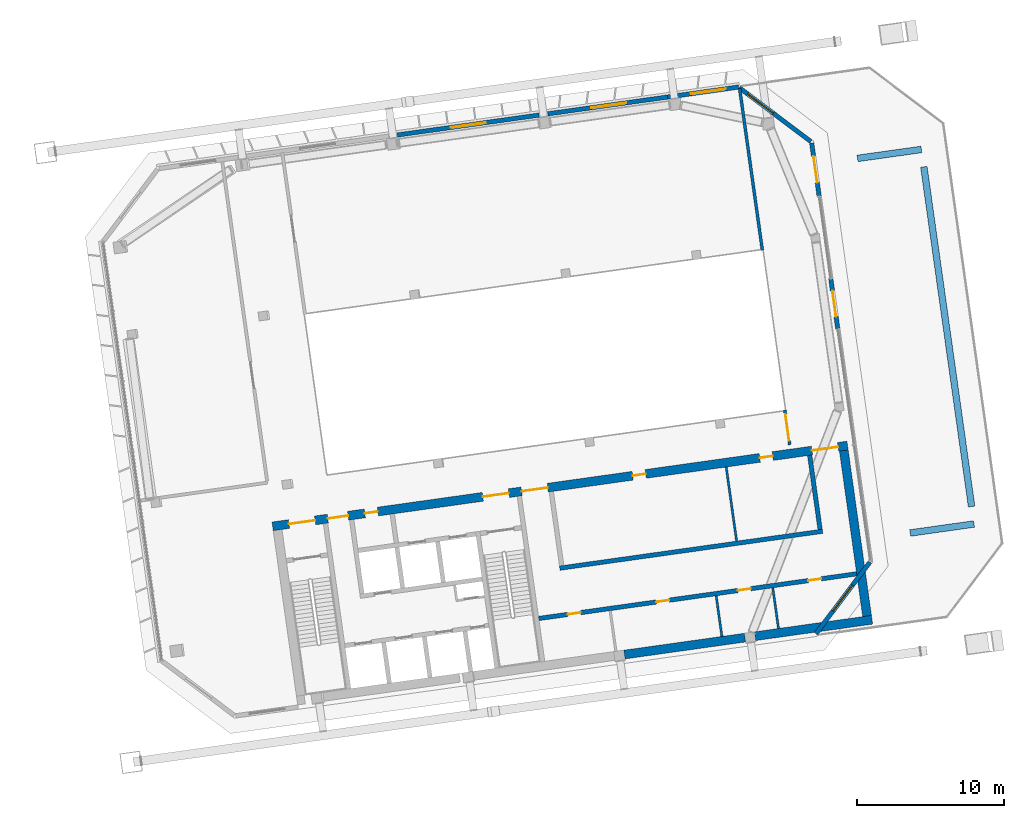
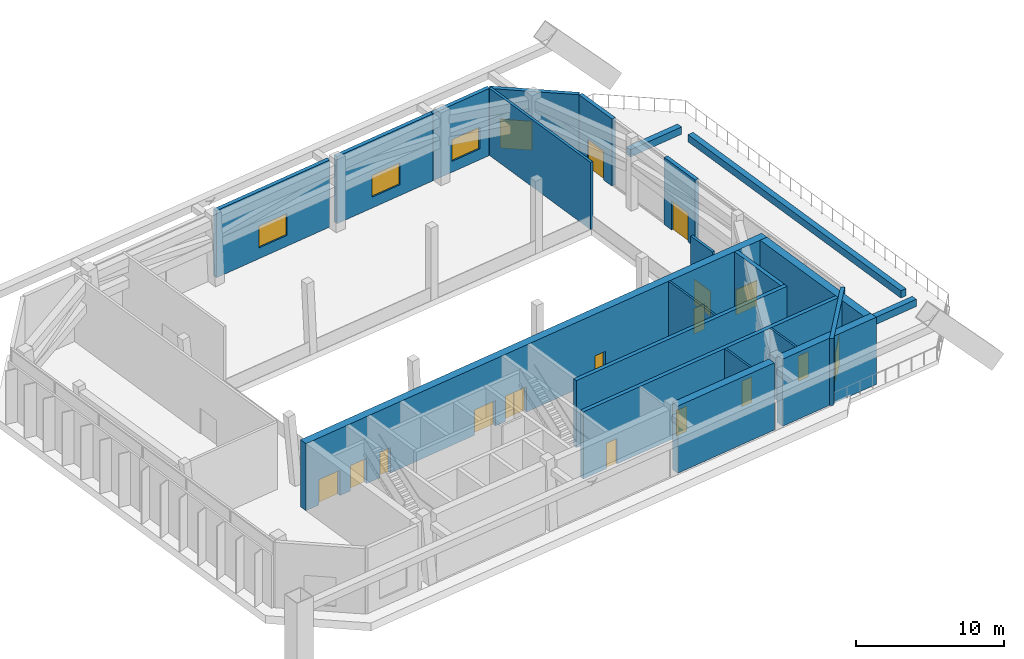
# One storey, part 18 of 29: 22 walls, 15 doors, 5 windows, 20 openings.
"""IFC4 building model written with IfcOpenShell, lengths in metres."""

from ifc_helpers import new_model, si_unit, direction, frame, frame_2d, origin, place, context, subcontext, project, spatial, rectangle, extrude, material, layer, layer_set, type_object, element, fill, save


model = new_model("IFC4")

# Units and contexts
model_context = context("Model", 3, precision=1e-05, world=origin(), true_north=direction((0.0, 1.0)))
body_context = subcontext(model_context, "Body", "Model", "MODEL_VIEW")
ifc_project = project(units=[si_unit("LENGTHUNIT", "METRE"), si_unit("AREAUNIT", "SQUARE_METRE"), si_unit("VOLUMEUNIT", "CUBIC_METRE"), si_unit("PLANEANGLEUNIT", "RADIAN"), si_unit("MASSUNIT", "GRAM", prefix="KILO")], contexts=[model_context])

# Site, building, storey
site_placement = place(None, origin())
site = spatial("IfcSite", under=ifc_project, at=site_placement, CompositionType="ELEMENT")
building_placement = place(site_placement, origin())
building = spatial("IfcBuilding", under=site, at=building_placement, Name="Mirante Cascada Hotel Towers", CompositionType="ELEMENT")
storey_placement = place(building_placement, frame((0.0, 0.0, 210.6)))
storey = spatial("IfcBuildingStorey", under=building, at=storey_placement, Name="L50", CompositionType="ELEMENT", Elevation=210.6)

# Walls
ifc_material_1 = material(Name="Masonry block", Category="masonry")
ifc_layer_1 = layer(ifc_material_1, 0.15)
ifc_layer_set_1 = layer_set([ifc_layer_1], Name="Core room partition 150 block EI 30")
wall_type_1 = type_object("IfcWallType", Name="Core room partition 150 block EI 30", PredefinedType="PARTITIONING", material=ifc_layer_set_1)
wall_1_placement = place(storey_placement, frame((66.2872, -15.178, 0.0), z_axis=(0.0, 0.0, 1.0), x_axis=(-0.139181, 0.990267, 0.0)))
element("IfcWall", 1, at=wall_1_placement, inside=storey, type_object=wall_type_1, Name="Core wall partition T2 L50 6", PredefinedType="PARTITIONING", context=body_context, shape_type="SweptSolid", body=[
    extrude(rectangle(XDim=2.8, YDim=0.15, at=frame_2d((1.4, 0.0))), origin(), (0.0, 0.0, 1.0), 5.55),
])
wall_2_placement = place(storey_placement, frame((70.1492, -14.6353, 0.0), z_axis=(0.0, 0.0, 1.0), x_axis=(-0.139176, 0.9902677, 0.0)))
element("IfcWall", 2, at=wall_2_placement, inside=storey, type_object=wall_type_1, Name="Core wall partition T2 L50 7", PredefinedType="PARTITIONING", context=body_context, shape_type="SweptSolid", body=[
    extrude(rectangle(XDim=2.8001, YDim=0.15, at=frame_2d((1.4, 0.0))), origin(), (0.0, 0.0, 1.0), 5.55),
])
wall_3_placement = place(storey_placement, frame((67.2919, -8.6749, 0.0), z_axis=(0.0, 0.0, 1.0), x_axis=(-0.1391782, 0.9902673, 0.0)))
element("IfcWall", 3, at=wall_3_placement, inside=storey, type_object=wall_type_1, Name="Core wall partition T2 L50 8", PredefinedType="PARTITIONING", context=body_context, shape_type="SweptSolid", body=[
    extrude(rectangle(XDim=5.0999, YDim=0.15, at=frame_2d((2.55, 0.0))), origin(), (0.0, 0.0, 1.0), 5.55),
])

# Wall, openings, doors
ifc_material_2 = material(Name="Masonry block", Category="masonry")
ifc_layer_2 = layer(ifc_material_2, 0.3)
ifc_layer_set_2 = layer_set([ifc_layer_2], Name="Core wall 300 block EI 120")
wall_type_2 = type_object("IfcWallType", Name="Core wall 300 block EI 120", PredefinedType="PARTITIONING", material=ifc_layer_set_2)
wall_4_placement = place(storey_placement, frame((53.7953, -13.9547, 0.0), z_axis=(0.0, 0.0, 1.0), x_axis=(0.990268, 0.1391733, 0.0)))
wall_4 = element("IfcWall", 4, at=wall_4_placement, inside=storey, type_object=wall_type_2, Name="Core wall partition T2 L50 4", PredefinedType="PARTITIONING", context=body_context, shape_type="SweptSolid", body=[
    extrude(rectangle(XDim=21.9, YDim=0.3, at=frame_2d((10.95, 0.0))), origin(), (0.0, 0.0, 1.0), 5.55),
])
opening_1_placement = place(wall_4_placement, frame((2.0, 0.0, 0.0)))
opening_1 = element("IfcOpeningElement", 5, at=opening_1_placement, cuts=wall_4, Name="Opening D2-50-C17", PredefinedType="OPENING", context=body_context, shape_type="SweptSolid", body=[
    extrude(rectangle(XDim=0.9, YDim=2.1, at=frame_2d((0.45, 1.05))), frame((0.0, 0.15, 0.0), z_axis=(0.0, -1.0, 0.0), x_axis=(1.0, 0.0, 0.0)), (0.0, 0.0, 1.0), 0.3),
])
opening_2_placement = place(wall_4_placement, frame((8.1, 0.0, 0.0)))
opening_2 = element("IfcOpeningElement", 6, at=opening_2_placement, cuts=wall_4, Name="Opening D2-50-C18", PredefinedType="OPENING", context=body_context, shape_type="SweptSolid", body=[
    extrude(rectangle(XDim=0.9, YDim=2.1, at=frame_2d((0.45, 1.05))), frame((0.0, 0.15, 0.0), z_axis=(0.0, -1.0, 0.0), x_axis=(1.0, 0.0, 0.0)), (0.0, 0.0, 1.0), 0.3),
])
opening_3_placement = place(wall_4_placement, frame((13.7, 0.0, 0.0)))
opening_3 = element("IfcOpeningElement", 7, at=opening_3_placement, cuts=wall_4, Name="Opening D2-50-C19", PredefinedType="OPENING", context=body_context, shape_type="SweptSolid", body=[
    extrude(rectangle(XDim=0.9, YDim=2.1, at=frame_2d((0.45, 1.05))), frame((0.0, 0.15, 0.0), z_axis=(0.0, -1.0, 0.0), x_axis=(1.0, 0.0, 0.0)), (0.0, 0.0, 1.0), 0.3),
])
opening_4_placement = place(wall_4_placement, frame((18.55, 0.0, 0.0)))
opening_4 = element("IfcOpeningElement", 8, at=opening_4_placement, cuts=wall_4, Name="Opening D2-50-C20", PredefinedType="OPENING", context=body_context, shape_type="SweptSolid", body=[
    extrude(rectangle(XDim=0.9, YDim=2.1, at=frame_2d((0.45, 1.05))), frame((0.0, 0.15, 0.0), z_axis=(0.0, -1.0, 0.0), x_axis=(1.0, 0.0, 0.0)), (0.0, 0.0, 1.0), 0.3),
])
ifc_material_3 = material(Name="Hollow metal fire door leaf")
door_type_1 = type_object("IfcDoorType", Name="Fire door 900x2100 FD60", OperationType="NOTDEFINED", PredefinedType="DOOR", material=ifc_material_3)
door_1_placement = place(opening_1_placement, frame((0.9, 0.0, 0.0), z_axis=(0.0, 0.0, 1.0), x_axis=(-1.0, 0.0, 0.0)))
door_1 = element("IfcDoor", 9, at=door_1_placement, inside=storey, type_object=door_type_1, Name="Room door T2 L50 17", OperationType="SINGLE_SWING_LEFT", OverallHeight=2.1, OverallWidth=0.9, PredefinedType="DOOR", context=body_context, shape_type="SweptSolid", body=[
    extrude(rectangle(XDim=0.9, YDim=2.1, at=frame_2d((0.45, 1.05))), frame((0.0, 0.025, 0.0), z_axis=(0.0, -1.0, 0.0), x_axis=(1.0, 0.0, 0.0)), (0.0, 0.0, 1.0), 0.05),
])
fill(opening_1, door_1)
door_2_placement = place(opening_2_placement, frame((0.9, 0.0, 0.0), z_axis=(0.0, 0.0, 1.0), x_axis=(-1.0, 0.0, 0.0)))
door_2 = element("IfcDoor", 10, at=door_2_placement, inside=storey, type_object=door_type_1, Name="Room door T2 L50 18", OperationType="SINGLE_SWING_LEFT", OverallHeight=2.1, OverallWidth=0.9, PredefinedType="DOOR", context=body_context, shape_type="SweptSolid", body=[
    extrude(rectangle(XDim=0.9, YDim=2.1, at=frame_2d((0.45, 1.05))), frame((0.0, 0.025, 0.0), z_axis=(0.0, -1.0, 0.0), x_axis=(1.0, 0.0, 0.0)), (0.0, 0.0, 1.0), 0.05),
])
fill(opening_2, door_2)
door_3_placement = place(opening_3_placement, frame((0.9, 0.0, 0.0), z_axis=(0.0, 0.0, 1.0), x_axis=(-1.0, 0.0, 0.0)))
door_3 = element("IfcDoor", 11, at=door_3_placement, inside=storey, type_object=door_type_1, Name="Room door T2 L50 19", OperationType="SINGLE_SWING_RIGHT", OverallHeight=2.1, OverallWidth=0.9, PredefinedType="DOOR", context=body_context, shape_type="SweptSolid", body=[
    extrude(rectangle(XDim=0.9, YDim=2.1, at=frame_2d((0.45, 1.05))), frame((0.0, 0.025, 0.0), z_axis=(0.0, -1.0, 0.0), x_axis=(1.0, 0.0, 0.0)), (0.0, 0.0, 1.0), 0.05),
])
fill(opening_3, door_3)
door_4_placement = place(opening_4_placement, frame((0.9, 0.0, 0.0), z_axis=(0.0, 0.0, 1.0), x_axis=(-1.0, 0.0, 0.0)))
door_4 = element("IfcDoor", 12, at=door_4_placement, inside=storey, type_object=door_type_1, Name="Room door T2 L50 20", OperationType="SINGLE_SWING_RIGHT", OverallHeight=2.1, OverallWidth=0.9, PredefinedType="DOOR", context=body_context, shape_type="SweptSolid", body=[
    extrude(rectangle(XDim=0.9, YDim=2.1, at=frame_2d((0.45, 1.05))), frame((0.0, 0.025, 0.0), z_axis=(0.0, -1.0, 0.0), x_axis=(1.0, 0.0, 0.0)), (0.0, 0.0, 1.0), 0.05),
])
fill(opening_4, door_4)

# Walls
ifc_material_4 = material(Name="Precast concrete C40/50", Category="concrete")
ifc_layer_3 = layer(ifc_material_4, 0.45)
ifc_layer_set_3 = layer_set([ifc_layer_3], Name="Planter wall 450 concrete C40/50")
wall_type_3 = type_object("IfcWallType", Name="Planter wall 450 concrete C40/50", PredefinedType="PARAPET", material=ifc_layer_set_3)
for number, where, z_axis, x_axis, name in (
    (13, (79.1301, -8.122, 0.0), (0.0, 0.0, 1.0), (0.990267, 0.139181, 0.0), "PLANTER T2 L50 bed 1"),
    (14, (75.5395, 17.4269, 0.0), (0.0, 0.0, 1.0), (0.990267, 0.139181, 0.0), "PLANTER T2 L50 bed 2"),
):
    element("IfcWall", number, at=place(storey_placement, frame(where, z_axis=z_axis, x_axis=x_axis)), inside=storey, type_object=wall_type_3, Name=name, PredefinedType="PARAPET", context=body_context, shape_type="SweptSolid", body=[
        extrude(rectangle(XDim=4.4, YDim=0.45, at=frame_2d((2.2, 0.0))), origin(), (0.0, 0.0, 1.0), 0.6),
    ])
wall_5_placement = place(storey_placement, frame((83.3203, -6.3213, 0.0), z_axis=(0.0, 0.0, 1.0), x_axis=(-0.1391708, 0.9902684, 0.0)))
element("IfcWall", 15, at=wall_5_placement, inside=storey, type_object=wall_type_3, Name="PLANTER T2 L50 bed 3", PredefinedType="PARAPET", context=body_context, shape_type="SweptSolid", body=[
    extrude(rectangle(XDim=23.4, YDim=0.45, at=frame_2d((11.7, 0.0))), origin(), (0.0, 0.0, 1.0), 0.6),
])

# Wall, opening, window
ifc_material_5 = material(Name="Precast concrete C40/50", Category="concrete")
ifc_layer_4 = layer(ifc_material_5, 0.3)
ifc_layer_set_4 = layer_set([ifc_layer_4], Name="Precast concrete C40/50 cladding wall 300")
wall_type_4 = type_object("IfcWallType", Name="Precast concrete C40/50 cladding wall 300", PredefinedType="STANDARD", material=ifc_layer_set_4)
wall_6_placement = place(storey_placement, frame((44.1438, 19.023, 0.0), z_axis=(0.0, 0.0, 1.0), x_axis=(0.9902672, 0.1391794, 0.0)))
wall_6 = element("IfcWall", 16, at=wall_6_placement, inside=storey, type_object=wall_type_4, Name="Cladding pier wall T2 L50 front 3", PredefinedType="STANDARD", context=body_context, shape_type="SweptSolid", body=[
    extrude(rectangle(XDim=9.768, YDim=0.3, at=frame_2d((4.884, 0.0))), origin(), (0.0, 0.0, 1.0), 5.55),
])
opening_5_placement = place(wall_6_placement, frame((3.684, 0.0, 0.9)))
opening_5 = element("IfcOpeningElement", 17, at=opening_5_placement, cuts=wall_6, Name="Opening W2-50-03", PredefinedType="OPENING", context=body_context, shape_type="SweptSolid", body=[
    extrude(rectangle(XDim=2.4, YDim=1.8, at=frame_2d((1.2, 0.9))), frame((0.0, 0.15, 0.0), z_axis=(0.0, -1.0, 0.0), x_axis=(1.0, 0.0, 0.0)), (0.0, 0.0, 1.0), 0.3),
])
ifc_material_6 = material(Name="Aluminium frame with clear double glazing", Category="aluminium")
window_type_1 = type_object("IfcWindowType", Name="Punched window 2400x1800", PartitioningType="DOUBLE_PANEL_VERTICAL", PredefinedType="WINDOW", material=ifc_material_6)
window_1_placement = place(opening_5_placement, origin())
window_1 = element("IfcWindow", 18, at=window_1_placement, inside=storey, type_object=window_type_1, Name="Window W2-50-03", OverallHeight=1.8, OverallWidth=2.4, PartitioningType="SINGLE_PANEL", PredefinedType="WINDOW", context=body_context, shape_type="SweptSolid", body=[
    extrude(rectangle(XDim=2.4, YDim=1.8, at=frame_2d((1.2, 0.9))), frame((0.0, 0.03, 0.0), z_axis=(0.0, -1.0, 0.0), x_axis=(1.0, 0.0, 0.0)), (0.0, 0.0, 1.0), 0.06),
])
fill(opening_5, window_1)

wall_7_placement = place(storey_placement, frame((54.4109, 20.466, 0.0), z_axis=(0.0, 0.0, 1.0), x_axis=(0.9902691, 0.1391657, 0.0)))
wall_7 = element("IfcWall", 19, at=wall_7_placement, inside=storey, type_object=wall_type_4, Name="Cladding pier wall T2 L50 front 4", PredefinedType="STANDARD", context=body_context, shape_type="SweptSolid", body=[
    extrude(rectangle(XDim=8.2499, YDim=0.3, at=frame_2d((4.125, 0.0))), origin(), (0.0, 0.0, 1.0), 5.55),
])
opening_6_placement = place(wall_7_placement, frame((3.0, 0.0, 0.9)))
opening_6 = element("IfcOpeningElement", 20, at=opening_6_placement, cuts=wall_7, Name="Opening W2-50-04", PredefinedType="OPENING", context=body_context, shape_type="SweptSolid", body=[
    extrude(rectangle(XDim=2.4, YDim=1.8, at=frame_2d((1.2, 0.9))), frame((0.0, 0.15, 0.0), z_axis=(0.0, -1.0, 0.0), x_axis=(1.0, 0.0, 0.0)), (0.0, 0.0, 1.0), 0.3),
])
window_2_placement = place(opening_6_placement, origin())
window_2 = element("IfcWindow", 21, at=window_2_placement, inside=storey, type_object=window_type_1, Name="Window W2-50-04", OverallHeight=1.8, OverallWidth=2.4, PartitioningType="SINGLE_PANEL", PredefinedType="WINDOW", context=body_context, shape_type="SweptSolid", body=[
    extrude(rectangle(XDim=2.4, YDim=1.8, at=frame_2d((1.2, 0.9))), frame((0.0, 0.03, 0.0), z_axis=(0.0, -1.0, 0.0), x_axis=(1.0, 0.0, 0.0)), (0.0, 0.0, 1.0), 0.06),
])
fill(opening_6, window_2)

wall_8_placement = place(storey_placement, frame((62.5805, 21.6141, 0.0), z_axis=(0.0, 0.0, 1.0), x_axis=(0.9902673, 0.1391783, 0.0)))
wall_8 = element("IfcWall", 22, at=wall_8_placement, inside=storey, type_object=wall_type_4, Name="Cladding pier wall T2 L50 front 5", PredefinedType="STANDARD", context=body_context, shape_type="SweptSolid", body=[
    extrude(rectangle(XDim=4.888, YDim=0.3, at=frame_2d((2.444, 0.0))), origin(), (0.0, 0.0, 1.0), 5.55),
])
opening_7_placement = place(wall_8_placement, frame((1.619, 0.0, 0.9)))
opening_7 = element("IfcOpeningElement", 23, at=opening_7_placement, cuts=wall_8, Name="Opening W2-50-05", PredefinedType="OPENING", context=body_context, shape_type="SweptSolid", body=[
    extrude(rectangle(XDim=2.4, YDim=1.8, at=frame_2d((1.2, 0.9))), frame((0.0, 0.15, 0.0), z_axis=(0.0, -1.0, 0.0), x_axis=(1.0, 0.0, 0.0)), (0.0, 0.0, 1.0), 0.3),
])
window_3_placement = place(opening_7_placement, origin())
window_3 = element("IfcWindow", 24, at=window_3_placement, inside=storey, type_object=window_type_1, Name="Window W2-50-05", OverallHeight=1.8, OverallWidth=2.4, PartitioningType="SINGLE_PANEL", PredefinedType="WINDOW", context=body_context, shape_type="SweptSolid", body=[
    extrude(rectangle(XDim=2.4, YDim=1.8, at=frame_2d((1.2, 0.9))), frame((0.0, 0.03, 0.0), z_axis=(0.0, -1.0, 0.0), x_axis=(1.0, 0.0, 0.0)), (0.0, 0.0, 1.0), 0.06),
])
fill(opening_7, window_3)

wall_9_placement = place(storey_placement, frame((72.7051, -14.9892, 0.0), z_axis=(0.0, 0.0, 1.0), x_axis=(0.6018141, 0.7986362, 0.0)))
wall_9 = element("IfcWall", 25, at=wall_9_placement, inside=storey, type_object=wall_type_4, Name="Corner cladding wall T2 L50 rear outer", PredefinedType="STANDARD", context=body_context, shape_type="SweptSolid", body=[
    extrude(rectangle(XDim=6.1157, YDim=0.3, at=frame_2d((3.0578, 0.0))), origin(), (0.0, 0.0, 1.0), 5.55),
])
opening_8_placement = place(wall_9_placement, frame((1.9427, 0.0, 0.6)))
opening_8 = element("IfcOpeningElement", 26, at=opening_8_placement, cuts=wall_9, Name="Opening W2-50-07", PredefinedType="OPENING", context=body_context, shape_type="SweptSolid", body=[
    extrude(rectangle(XDim=2.2, YDim=2.4, at=frame_2d((1.1, 1.2))), frame((0.0, 0.15, 0.0), z_axis=(0.0, -1.0, 0.0), x_axis=(1.0, 0.0, 0.0)), (0.0, 0.0, 1.0), 0.3),
])
ifc_material_7 = material(Name="Aluminium frame with clear double glazing", Category="aluminium")
window_type_2 = type_object("IfcWindowType", Name="Corner suite window 2200x2400", PartitioningType="DOUBLE_PANEL_VERTICAL", PredefinedType="WINDOW", material=ifc_material_7)
window_4_placement = place(opening_8_placement, origin())
window_4 = element("IfcWindow", 27, at=window_4_placement, inside=storey, type_object=window_type_2, Name="Window W2-50-07", OverallHeight=2.4, OverallWidth=2.2, PartitioningType="SINGLE_PANEL", PredefinedType="WINDOW", context=body_context, shape_type="SweptSolid", body=[
    extrude(rectangle(XDim=2.2, YDim=2.4, at=frame_2d((1.1, 1.2))), frame((0.0, 0.03, 0.0), z_axis=(0.0, -1.0, 0.0), x_axis=(1.0, 0.0, 0.0)), (0.0, 0.0, 1.0), 0.06),
])
fill(opening_8, window_4)

wall_10_placement = place(storey_placement, frame((72.3546, 18.5766, 0.0), z_axis=(0.0, 0.0, 1.0), x_axis=(-0.7986362, 0.6018141, 0.0)))
wall_10 = element("IfcWall", 28, at=wall_10_placement, inside=storey, type_object=wall_type_4, Name="Corner cladding wall T2 L50 outer front", PredefinedType="STANDARD", context=body_context, shape_type="SweptSolid", body=[
    extrude(rectangle(XDim=6.1157, YDim=0.3, at=frame_2d((3.0578, 0.0))), origin(), (0.0, 0.0, 1.0), 5.55),
])
opening_9_placement = place(wall_10_placement, frame((3.1983, 0.0, 0.6)))
opening_9 = element("IfcOpeningElement", 29, at=opening_9_placement, cuts=wall_10, Name="Opening W2-50-08", PredefinedType="OPENING", context=body_context, shape_type="SweptSolid", body=[
    extrude(rectangle(XDim=2.2, YDim=2.4, at=frame_2d((1.1, 1.2))), frame((0.0, 0.15, 0.0), z_axis=(0.0, -1.0, 0.0), x_axis=(1.0, 0.0, 0.0)), (0.0, 0.0, 1.0), 0.3),
])
window_5_placement = place(opening_9_placement, origin())
window_5 = element("IfcWindow", 30, at=window_5_placement, inside=storey, type_object=window_type_2, Name="Window W2-50-08", OverallHeight=2.4, OverallWidth=2.2, PartitioningType="SINGLE_PANEL", PredefinedType="WINDOW", context=body_context, shape_type="SweptSolid", body=[
    extrude(rectangle(XDim=2.2, YDim=2.4, at=frame_2d((1.1, 1.2))), frame((0.0, 0.03, 0.0), z_axis=(0.0, -1.0, 0.0), x_axis=(1.0, 0.0, 0.0)), (0.0, 0.0, 1.0), 0.06),
])
fill(opening_9, window_5)

# Wall, opening, door
ifc_material_8 = material(Name="Precast concrete C40/50", Category="concrete")
ifc_layer_5 = layer(ifc_material_8, 0.3)
ifc_layer_set_5 = layer_set([ifc_layer_5], Name="Precast concrete C40/50 terrace wall 300")
wall_type_5 = type_object("IfcWallType", Name="Precast concrete C40/50 terrace wall 300", PredefinedType="STANDARD", material=ifc_layer_set_5)
wall_11_placement = place(storey_placement, frame((74.1908, 5.8263, 0.0), z_axis=(0.0, 0.0, 1.0), x_axis=(-0.139144, 0.9902722, 0.0)))
wall_11 = element("IfcWall", 31, at=wall_11_placement, inside=storey, type_object=wall_type_5, Name="Lounge door pier wall T2 L50 2", PredefinedType="STANDARD", context=body_context, shape_type="SweptSolid", body=[
    extrude(rectangle(XDim=3.4001, YDim=0.3, at=frame_2d((1.7, 0.0))), origin(), (0.0, 0.0, 1.0), 5.55),
])
opening_10_placement = place(wall_11_placement, frame((0.8, 0.0, 0.0)))
opening_10 = element("IfcOpeningElement", 32, at=opening_10_placement, cuts=wall_11, Name="Opening D2-50-91", PredefinedType="OPENING", context=body_context, shape_type="SweptSolid", body=[
    extrude(rectangle(XDim=1.8, YDim=2.4, at=frame_2d((0.9, 1.2))), frame((0.0, 0.15, 0.0), z_axis=(0.0, -1.0, 0.0), x_axis=(1.0, 0.0, 0.0)), (0.0, 0.0, 1.0), 0.3),
])
ifc_material_9 = material(Name="Aluminium frame with clear laminated glazing", Category="aluminium")
door_type_2 = type_object("IfcDoorType", Name="Terrace double door 1800x2400", OperationType="DOUBLE_DOOR_SINGLE_SWING", PredefinedType="DOOR", material=ifc_material_9)
door_5_placement = place(opening_10_placement, origin())
door_5 = element("IfcDoor", 33, at=door_5_placement, inside=storey, type_object=door_type_2, Name="Terrace door D2-50-91", OperationType="DOUBLE_DOOR_SINGLE_SWING", OverallHeight=2.4, OverallWidth=1.8, PredefinedType="DOOR", context=body_context, shape_type="SweptSolid", body=[
    extrude(rectangle(XDim=0.895, YDim=2.4, at=frame_2d((0.4475, 1.2))), frame((0.0, 0.025, 0.0), z_axis=(0.0, -1.0, 0.0), x_axis=(1.0, 0.0, 0.0)), (0.0, 0.0, 1.0), 0.05),
    extrude(rectangle(XDim=0.895, YDim=2.4, at=frame_2d((1.3525, 1.2))), frame((0.0, 0.025, 0.0), z_axis=(0.0, -1.0, 0.0), x_axis=(1.0, 0.0, 0.0)), (0.0, 0.0, 1.0), 0.05),
])
fill(opening_10, door_5)

wall_12_placement = place(storey_placement, frame((72.9191, 14.8753, 0.0), z_axis=(0.0, 0.0, 1.0), x_axis=(-0.1391698, 0.9902685, 0.0)))
wall_12 = element("IfcWall", 34, at=wall_12_placement, inside=storey, type_object=wall_type_5, Name="Lounge door pier wall T2 L50 4", PredefinedType="STANDARD", context=body_context, shape_type="SweptSolid", body=[
    extrude(rectangle(XDim=3.638, YDim=0.3, at=frame_2d((1.819, 0.0))), origin(), (0.0, 0.0, 1.0), 5.55),
])
opening_11_placement = place(wall_12_placement, frame((0.919, 0.0, 0.0)))
opening_11 = element("IfcOpeningElement", 35, at=opening_11_placement, cuts=wall_12, Name="Opening D2-50-92", PredefinedType="OPENING", context=body_context, shape_type="SweptSolid", body=[
    extrude(rectangle(XDim=1.8, YDim=2.4, at=frame_2d((0.9, 1.2))), frame((0.0, 0.15, 0.0), z_axis=(0.0, -1.0, 0.0), x_axis=(1.0, 0.0, 0.0)), (0.0, 0.0, 1.0), 0.3),
])
door_6_placement = place(opening_11_placement, origin())
door_6 = element("IfcDoor", 36, at=door_6_placement, inside=storey, type_object=door_type_2, Name="Terrace door D2-50-92", OperationType="DOUBLE_DOOR_SINGLE_SWING", OverallHeight=2.4, OverallWidth=1.8, PredefinedType="DOOR", context=body_context, shape_type="SweptSolid", body=[
    extrude(rectangle(XDim=0.895, YDim=2.4, at=frame_2d((0.4475, 1.2))), frame((0.0, 0.025, 0.0), z_axis=(0.0, -1.0, 0.0), x_axis=(1.0, 0.0, 0.0)), (0.0, 0.0, 1.0), 0.05),
    extrude(rectangle(XDim=0.895, YDim=2.4, at=frame_2d((1.3525, 1.2))), frame((0.0, 0.025, 0.0), z_axis=(0.0, -1.0, 0.0), x_axis=(1.0, 0.0, 0.0)), (0.0, 0.0, 1.0), 0.05),
])
fill(opening_11, door_6)

# Walls
ifc_material_10 = material(Name="Concrete C50/60", Category="concrete")
ifc_layer_6 = layer(ifc_material_10, 0.3)
ifc_layer_set_6 = layer_set([ifc_layer_6], Name="RC core wall 300 C50/60")
wall_type_6 = type_object("IfcWallType", Name="RC core wall 300 C50/60", PredefinedType="SHEAR", material=ifc_layer_set_6)
wall_13_placement = place(storey_placement, frame((55.2315, -10.5214, 0.0), z_axis=(0.0, 0.0, 1.0), x_axis=(0.9902684, 0.1391709, 0.0)))
element("IfcWall", 37, at=wall_13_placement, inside=storey, type_object=wall_type_6, Name="Core wall T2:L50:26", PredefinedType="SHEAR", context=body_context, shape_type="SweptSolid", body=[
    extrude(rectangle(XDim=18.1, YDim=0.3, at=frame_2d((9.05, 0.0))), origin(), (0.0, 0.0, 1.0), 5.55),
])
wall_14_placement = place(storey_placement, frame((72.9859, -7.8747, 0.0), z_axis=(0.0, 0.0, 1.0), x_axis=(-0.1391563, 0.9902704, 0.0)))
element("IfcWall", 38, at=wall_14_placement, inside=storey, type_object=wall_type_6, Name="Core wall T2:L50:28", PredefinedType="SHEAR", context=body_context, shape_type="SweptSolid", body=[
    extrude(rectangle(XDim=5.1, YDim=0.3, at=frame_2d((2.55, 0.0))), origin(), (0.0, 0.0, 1.0), 5.55),
])
ifc_material_11 = material(Name="Concrete C50/60", Category="concrete")
ifc_layer_7 = layer(ifc_material_11, 0.6)
ifc_layer_set_7 = layer_set([ifc_layer_7], Name="RC core wall 600 C50/60")
wall_type_7 = type_object("IfcWallType", Name="RC core wall 600 C50/60", PredefinedType="SHEAR", material=ifc_layer_set_7)
wall_15_placement = place(storey_placement, frame((59.6446, -16.4145, 0.0), z_axis=(0.0, 0.0, 1.0), x_axis=(0.9902686, 0.1391692, 0.0)))
element("IfcWall", 39, at=wall_15_placement, inside=storey, type_object=wall_type_7, Name="Core wall T2:L50:1.4", PredefinedType="SHEAR", context=body_context, shape_type="SweptSolid", body=[
    extrude(rectangle(XDim=8.3, YDim=0.6, at=frame_2d((4.15, 0.0))), origin(), (0.0, 0.0, 1.0), 5.55),
])
wall_16_placement = place(storey_placement, frame((68.557, -15.162, 0.0), z_axis=(0.0, 0.0, 1.0), x_axis=(0.9902672, 0.1391793, 0.0)))
element("IfcWall", 40, at=wall_16_placement, inside=storey, type_object=wall_type_7, Name="Core wall T2:L50:1.5", PredefinedType="SHEAR", context=body_context, shape_type="SweptSolid", body=[
    extrude(rectangle(XDim=8.05, YDim=0.6, at=frame_2d((4.025, 0.0))), origin(), (0.0, 0.0, 1.0), 5.55),
])

# Wall, openings, doors
wall_17_placement = place(storey_placement, frame((35.644, -7.6697, 0.0), z_axis=(0.0, 0.0, 1.0), x_axis=(0.9902679, 0.1391743, 0.0)))
wall_17 = element("IfcWall", 41, at=wall_17_placement, inside=storey, type_object=wall_type_7, Name="Core wall T2:L50:2", PredefinedType="SHEAR", context=body_context, shape_type="SweptSolid", body=[
    extrude(rectangle(XDim=39.6, YDim=0.6, at=frame_2d((19.8, 0.0))), origin(), (0.0, 0.0, 1.0), 5.55),
])
opening_12_placement = place(wall_17_placement, frame((1.125, 0.0, 0.0)))
opening_12 = element("IfcOpeningElement", 42, at=opening_12_placement, cuts=wall_17, Name="Opening D2-50-C08", PredefinedType="OPENING", context=body_context, shape_type="SweptSolid", body=[
    extrude(rectangle(XDim=1.8, YDim=2.1, at=frame_2d((0.9, 1.05))), frame((0.0, 0.3, 0.0), z_axis=(0.0, -1.0, 0.0), x_axis=(1.0, 0.0, 0.0)), (0.0, 0.0, 1.0), 0.6),
])
opening_13_placement = place(wall_17_placement, frame((14.475, 0.0, 0.0)))
opening_13 = element("IfcOpeningElement", 43, at=opening_13_placement, cuts=wall_17, Name="Opening D2-50-C10", PredefinedType="OPENING", context=body_context, shape_type="SweptSolid", body=[
    extrude(rectangle(XDim=1.8, YDim=2.1, at=frame_2d((0.9, 1.05))), frame((0.0, 0.3, 0.0), z_axis=(0.0, -1.0, 0.0), x_axis=(1.0, 0.0, 0.0)), (0.0, 0.0, 1.0), 0.6),
])
opening_14_placement = place(wall_17_placement, frame((3.8, 0.0, 0.0)))
opening_14 = element("IfcOpeningElement", 44, at=opening_14_placement, cuts=wall_17, Name="Opening D2-50-C11", PredefinedType="OPENING", context=body_context, shape_type="SweptSolid", body=[
    extrude(rectangle(XDim=1.4, YDim=2.1, at=frame_2d((0.7, 1.05))), frame((0.0, 0.3, 0.0), z_axis=(0.0, -1.0, 0.0), x_axis=(1.0, 0.0, 0.0)), (0.0, 0.0, 1.0), 0.6),
])
opening_15_placement = place(wall_17_placement, frame((17.15, 0.0, 0.0)))
opening_15 = element("IfcOpeningElement", 45, at=opening_15_placement, cuts=wall_17, Name="Opening D2-50-C12", PredefinedType="OPENING", context=body_context, shape_type="SweptSolid", body=[
    extrude(rectangle(XDim=1.8, YDim=2.1, at=frame_2d((0.9, 1.05))), frame((0.0, 0.3, 0.0), z_axis=(0.0, -1.0, 0.0), x_axis=(1.0, 0.0, 0.0)), (0.0, 0.0, 1.0), 0.6),
])
opening_16_placement = place(wall_17_placement, frame((37.15, 0.0, 0.0)))
opening_16 = element("IfcOpeningElement", 46, at=opening_16_placement, cuts=wall_17, Name="Opening D2-50-C13", PredefinedType="OPENING", context=body_context, shape_type="SweptSolid", body=[
    extrude(rectangle(XDim=1.8, YDim=2.1, at=frame_2d((0.9, 1.05))), frame((0.0, 0.3, 0.0), z_axis=(0.0, -1.0, 0.0), x_axis=(1.0, 0.0, 0.0)), (0.0, 0.0, 1.0), 0.6),
])
opening_17_placement = place(wall_17_placement, frame((6.35, 0.0, 0.0)))
opening_17 = element("IfcOpeningElement", 47, at=opening_17_placement, cuts=wall_17, Name="Opening D2-50-C16", PredefinedType="OPENING", context=body_context, shape_type="SweptSolid", body=[
    extrude(rectangle(XDim=0.9, YDim=2.1, at=frame_2d((0.45, 1.05))), frame((0.0, 0.3, 0.0), z_axis=(0.0, -1.0, 0.0), x_axis=(1.0, 0.0, 0.0)), (0.0, 0.0, 1.0), 0.6),
])
opening_18_placement = place(wall_17_placement, frame((24.8, 0.0, 0.0)))
opening_18 = element("IfcOpeningElement", 48, at=opening_18_placement, cuts=wall_17, Name="Opening D2-50-C21", PredefinedType="OPENING", context=body_context, shape_type="SweptSolid", body=[
    extrude(rectangle(XDim=0.9, YDim=2.1, at=frame_2d((0.45, 1.05))), frame((0.0, 0.3, 0.0), z_axis=(0.0, -1.0, 0.0), x_axis=(1.0, 0.0, 0.0)), (0.0, 0.0, 1.0), 0.6),
])
opening_19_placement = place(wall_17_placement, frame((33.55, 0.0, 0.0)))
opening_19 = element("IfcOpeningElement", 49, at=opening_19_placement, cuts=wall_17, Name="Opening D2-50-C22", PredefinedType="OPENING", context=body_context, shape_type="SweptSolid", body=[
    extrude(rectangle(XDim=0.9, YDim=2.1, at=frame_2d((0.45, 1.05))), frame((0.0, 0.3, 0.0), z_axis=(0.0, -1.0, 0.0), x_axis=(1.0, 0.0, 0.0)), (0.0, 0.0, 1.0), 0.6),
])
ifc_material_12 = material(Name="Hollow metal fire door leaf")
door_type_3 = type_object("IfcDoorType", Name="Double fire door 1400x2100 FD60", OperationType="DOUBLE_DOOR_SINGLE_SWING", PredefinedType="DOOR", material=ifc_material_12)
door_7_placement = place(opening_14_placement, origin())
door_7 = element("IfcDoor", 50, at=door_7_placement, inside=storey, type_object=door_type_3, Name="Exit door to gallery T2 L50 11", OperationType="DOUBLE_DOOR_SINGLE_SWING", OverallHeight=2.1, OverallWidth=1.4, PredefinedType="DOOR", context=body_context, shape_type="SweptSolid", body=[
    extrude(rectangle(XDim=0.695, YDim=2.1, at=frame_2d((0.3475, 1.05))), frame((0.0, 0.025, 0.0), z_axis=(0.0, -1.0, 0.0), x_axis=(1.0, 0.0, 0.0)), (0.0, 0.0, 1.0), 0.05),
    extrude(rectangle(XDim=0.695, YDim=2.1, at=frame_2d((1.0525, 1.05))), frame((0.0, 0.025, 0.0), z_axis=(0.0, -1.0, 0.0), x_axis=(1.0, 0.0, 0.0)), (0.0, 0.0, 1.0), 0.05),
])
fill(opening_14, door_7)
ifc_material_13 = material(Name="Hollow metal fire door leaf")
door_type_4 = type_object("IfcDoorType", Name="Double fire door 1800x2100 FD60", OperationType="DOUBLE_DOOR_SINGLE_SWING", PredefinedType="DOOR", material=ifc_material_13)
door_8_placement = place(opening_12_placement, frame((1.8, 0.0, 0.0), z_axis=(0.0, 0.0, 1.0), x_axis=(-1.0, 0.0, 0.0)))
door_8 = element("IfcDoor", 51, at=door_8_placement, inside=storey, type_object=door_type_4, Name="Exit door to gallery T2 L50 8", OperationType="DOUBLE_DOOR_SINGLE_SWING", OverallHeight=2.1, OverallWidth=1.8, PredefinedType="DOOR", context=body_context, shape_type="SweptSolid", body=[
    extrude(rectangle(XDim=0.895, YDim=2.1, at=frame_2d((0.4475, 1.05))), frame((0.0, 0.025, 0.0), z_axis=(0.0, -1.0, 0.0), x_axis=(1.0, 0.0, 0.0)), (0.0, 0.0, 1.0), 0.05),
    extrude(rectangle(XDim=0.895, YDim=2.1, at=frame_2d((1.3525, 1.05))), frame((0.0, 0.025, 0.0), z_axis=(0.0, -1.0, 0.0), x_axis=(1.0, 0.0, 0.0)), (0.0, 0.0, 1.0), 0.05),
])
fill(opening_12, door_8)
door_9_placement = place(opening_13_placement, frame((1.8, 0.0, 0.0), z_axis=(0.0, 0.0, 1.0), x_axis=(-1.0, 0.0, 0.0)))
door_9 = element("IfcDoor", 52, at=door_9_placement, inside=storey, type_object=door_type_4, Name="Exit door to gallery T2 L50 10", OperationType="DOUBLE_DOOR_SINGLE_SWING", OverallHeight=2.1, OverallWidth=1.8, PredefinedType="DOOR", context=body_context, shape_type="SweptSolid", body=[
    extrude(rectangle(XDim=0.895, YDim=2.1, at=frame_2d((0.4475, 1.05))), frame((0.0, 0.025, 0.0), z_axis=(0.0, -1.0, 0.0), x_axis=(1.0, 0.0, 0.0)), (0.0, 0.0, 1.0), 0.05),
    extrude(rectangle(XDim=0.895, YDim=2.1, at=frame_2d((1.3525, 1.05))), frame((0.0, 0.025, 0.0), z_axis=(0.0, -1.0, 0.0), x_axis=(1.0, 0.0, 0.0)), (0.0, 0.0, 1.0), 0.05),
])
fill(opening_13, door_9)
door_10_placement = place(opening_15_placement, origin())
door_10 = element("IfcDoor", 53, at=door_10_placement, inside=storey, type_object=door_type_4, Name="Exit door to gallery T2 L50 12", OperationType="DOUBLE_DOOR_SINGLE_SWING", OverallHeight=2.1, OverallWidth=1.8, PredefinedType="DOOR", context=body_context, shape_type="SweptSolid", body=[
    extrude(rectangle(XDim=0.895, YDim=2.1, at=frame_2d((0.4475, 1.05))), frame((0.0, 0.025, 0.0), z_axis=(0.0, -1.0, 0.0), x_axis=(1.0, 0.0, 0.0)), (0.0, 0.0, 1.0), 0.05),
    extrude(rectangle(XDim=0.895, YDim=2.1, at=frame_2d((1.3525, 1.05))), frame((0.0, 0.025, 0.0), z_axis=(0.0, -1.0, 0.0), x_axis=(1.0, 0.0, 0.0)), (0.0, 0.0, 1.0), 0.05),
])
fill(opening_15, door_10)
door_11_placement = place(opening_16_placement, origin())
door_11 = element("IfcDoor", 54, at=door_11_placement, inside=storey, type_object=door_type_4, Name="Exit door to gallery T2 L50 13", OperationType="DOUBLE_DOOR_SINGLE_SWING", OverallHeight=2.1, OverallWidth=1.8, PredefinedType="DOOR", context=body_context, shape_type="SweptSolid", body=[
    extrude(rectangle(XDim=0.895, YDim=2.1, at=frame_2d((0.4475, 1.05))), frame((0.0, 0.025, 0.0), z_axis=(0.0, -1.0, 0.0), x_axis=(1.0, 0.0, 0.0)), (0.0, 0.0, 1.0), 0.05),
    extrude(rectangle(XDim=0.895, YDim=2.1, at=frame_2d((1.3525, 1.05))), frame((0.0, 0.025, 0.0), z_axis=(0.0, -1.0, 0.0), x_axis=(1.0, 0.0, 0.0)), (0.0, 0.0, 1.0), 0.05),
])
fill(opening_16, door_11)
door_12_placement = place(opening_17_placement, frame((0.9, 0.0, 0.0), z_axis=(0.0, 0.0, 1.0), x_axis=(-1.0, 0.0, 0.0)))
door_12 = element("IfcDoor", 55, at=door_12_placement, inside=storey, type_object=door_type_1, Name="Room door T2 L50 16", OperationType="SINGLE_SWING_LEFT", OverallHeight=2.1, OverallWidth=0.9, PredefinedType="DOOR", context=body_context, shape_type="SweptSolid", body=[
    extrude(rectangle(XDim=0.9, YDim=2.1, at=frame_2d((0.45, 1.05))), frame((0.0, 0.025, 0.0), z_axis=(0.0, -1.0, 0.0), x_axis=(1.0, 0.0, 0.0)), (0.0, 0.0, 1.0), 0.05),
])
fill(opening_17, door_12)
door_13_placement = place(opening_18_placement, frame((0.9, 0.0, 0.0), z_axis=(0.0, 0.0, 1.0), x_axis=(-1.0, 0.0, 0.0)))
door_13 = element("IfcDoor", 56, at=door_13_placement, inside=storey, type_object=door_type_1, Name="Room door T2 L50 21", OperationType="SINGLE_SWING_RIGHT", OverallHeight=2.1, OverallWidth=0.9, PredefinedType="DOOR", context=body_context, shape_type="SweptSolid", body=[
    extrude(rectangle(XDim=0.9, YDim=2.1, at=frame_2d((0.45, 1.05))), frame((0.0, 0.025, 0.0), z_axis=(0.0, -1.0, 0.0), x_axis=(1.0, 0.0, 0.0)), (0.0, 0.0, 1.0), 0.05),
])
fill(opening_18, door_13)
door_14_placement = place(opening_19_placement, frame((0.9, 0.0, 0.0), z_axis=(0.0, 0.0, 1.0), x_axis=(-1.0, 0.0, 0.0)))
door_14 = element("IfcDoor", 57, at=door_14_placement, inside=storey, type_object=door_type_1, Name="Room door T2 L50 22", OperationType="SINGLE_SWING_RIGHT", OverallHeight=2.1, OverallWidth=0.9, PredefinedType="DOOR", context=body_context, shape_type="SweptSolid", body=[
    extrude(rectangle(XDim=0.9, YDim=2.1, at=frame_2d((0.45, 1.05))), frame((0.0, 0.025, 0.0), z_axis=(0.0, -1.0, 0.0), x_axis=(1.0, 0.0, 0.0)), (0.0, 0.0, 1.0), 0.05),
])
fill(opening_19, door_14)

# Wall
wall_18_placement = place(storey_placement, frame((76.1899, -13.7863, 0.0), z_axis=(0.0, 0.0, 1.0), x_axis=(-0.1391761, 0.9902677, 0.0)))
element("IfcWall", 58, at=wall_18_placement, inside=storey, type_object=wall_type_7, Name="Core wall T2:L50:4", PredefinedType="SHEAR", context=body_context, shape_type="SweptSolid", body=[
    extrude(rectangle(XDim=11.3999, YDim=0.6, at=frame_2d((5.7, 0.0))), origin(), (0.0, 0.0, 1.0), 5.55),
])

# Wall, opening, door
ifc_material_14 = material(Name="Masonry block", Category="masonry")
ifc_layer_8 = layer(ifc_material_14, 0.2)
ifc_layer_set_8 = layer_set([ifc_layer_8], Name="Refuge and plant wall 200 block EI 120")
wall_type_8 = type_object("IfcWallType", Name="Refuge and plant wall 200 block EI 120", PredefinedType="PARTITIONING", material=ifc_layer_set_8)
wall_19_placement = place(storey_placement, frame((70.9131, -2.107, 0.0), z_axis=(0.0, 0.0, 1.0), x_axis=(-0.1392101, 0.9902629, 0.0)))
wall_19 = element("IfcWall", 59, at=wall_19_placement, inside=storey, type_object=wall_type_8, Name="Refuge floor wall T2 L50 S4", PredefinedType="PARTITIONING", context=body_context, shape_type="SweptSolid", body=[
    extrude(rectangle(XDim=2.4, YDim=0.2, at=frame_2d((1.2, 0.0))), origin(), (0.0, 0.0, 1.0), 5.55),
])
opening_20_placement = place(wall_19_placement, frame((0.3, 0.0, 0.0)))
opening_20 = element("IfcOpeningElement", 60, at=opening_20_placement, cuts=wall_19, Name="Opening D2-50-S03", PredefinedType="OPENING", context=body_context, shape_type="SweptSolid", body=[
    extrude(rectangle(XDim=1.8, YDim=2.1, at=frame_2d((0.9, 1.05))), frame((0.0, 0.1, 0.0), z_axis=(0.0, -1.0, 0.0), x_axis=(1.0, 0.0, 0.0)), (0.0, 0.0, 1.0), 0.2),
])
ifc_material_15 = material(Name="Hollow metal fire door leaf")
door_type_5 = type_object("IfcDoorType", Name="Refuge and plant double door 1800x2100 FD60", OperationType="DOUBLE_DOOR_SINGLE_SWING", PredefinedType="DOOR", material=ifc_material_15)
door_15_placement = place(opening_20_placement, frame((1.8, 0.0, 0.0), z_axis=(0.0, 0.0, 1.0), x_axis=(-1.0, 0.0, 0.0)))
door_15 = element("IfcDoor", 61, at=door_15_placement, inside=storey, type_object=door_type_5, Name="Fire door T2 L50 s3", OperationType="DOUBLE_DOOR_SINGLE_SWING", OverallHeight=2.1, OverallWidth=1.8, PredefinedType="DOOR", context=body_context, shape_type="SweptSolid", body=[
    extrude(rectangle(XDim=0.895, YDim=2.1, at=frame_2d((0.4475, 1.05))), frame((0.0, 0.025, 0.0), z_axis=(0.0, -1.0, 0.0), x_axis=(1.0, 0.0, 0.0)), (0.0, 0.0, 1.0), 0.05),
    extrude(rectangle(XDim=0.895, YDim=2.1, at=frame_2d((1.3525, 1.05))), frame((0.0, 0.025, 0.0), z_axis=(0.0, -1.0, 0.0), x_axis=(1.0, 0.0, 0.0)), (0.0, 0.0, 1.0), 0.05),
])
fill(opening_20, door_15)

# Wall
wall_20_placement = place(storey_placement, frame((69.0481, 11.1625, 0.0), z_axis=(0.0, 0.0, 1.0), x_axis=(-0.1391659, 0.9902691, 0.0)))
element("IfcWall", 62, at=wall_20_placement, inside=storey, type_object=wall_type_8, Name="Refuge floor wall T2 L50 S5", PredefinedType="PARTITIONING", context=body_context, shape_type="SweptSolid", body=[
    extrude(rectangle(XDim=11.15, YDim=0.2, at=frame_2d((5.575, 0.0))), origin(), (0.0, 0.0, 1.0), 5.55),
])

save(model, "model.ifc")
